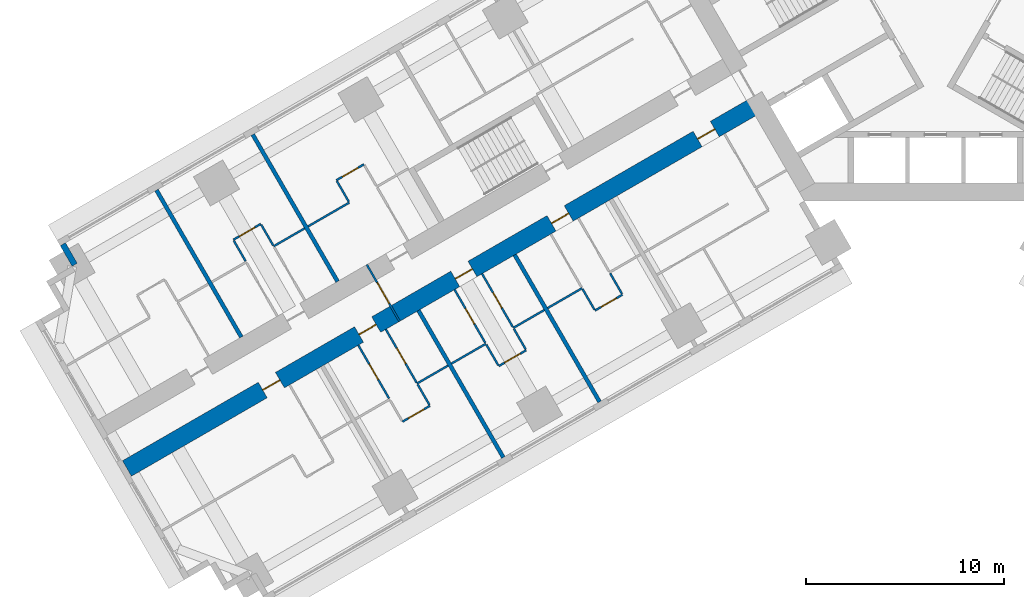
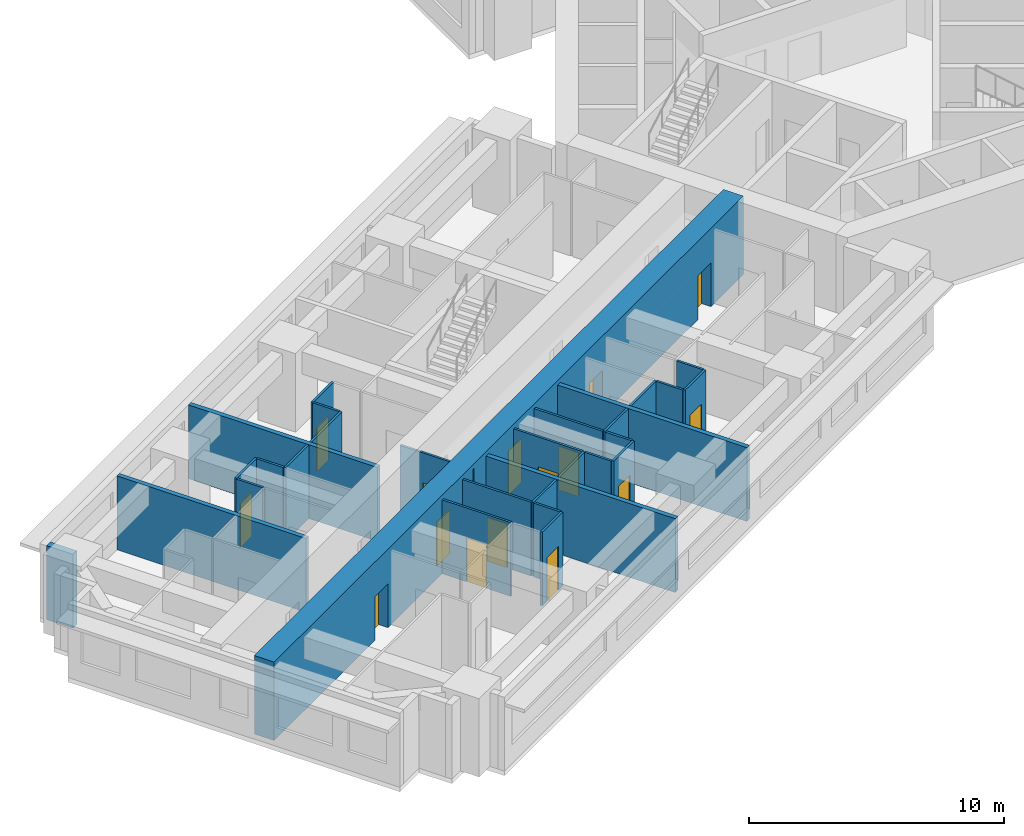
# One storey, part 4 of 16: 30 walls, 15 doors, 15 openings.
"""IFC4 building model written with IfcOpenShell, lengths in metres."""

from ifc_helpers import new_model, si_unit, direction, frame, frame_2d, origin, place, context, subcontext, project, spatial, rectangle, extrude, material, layer, layer_set, type_object, element, fill, save


model = new_model("IFC4")

# Units and contexts
model_context = context("Model", 3, precision=1e-05, world=origin(), true_north=direction((0.0, 1.0)))
body_context = subcontext(model_context, "Body", "Model", "MODEL_VIEW")
ifc_project = project(units=[si_unit("LENGTHUNIT", "METRE"), si_unit("AREAUNIT", "SQUARE_METRE"), si_unit("VOLUMEUNIT", "CUBIC_METRE"), si_unit("PLANEANGLEUNIT", "RADIAN"), si_unit("MASSUNIT", "GRAM", prefix="KILO")], contexts=[model_context])

# Site, building, storey
site_placement = place(None, origin())
site = spatial("IfcSite", under=ifc_project, at=site_placement, CompositionType="ELEMENT")
building_placement = place(site_placement, origin())
building = spatial("IfcBuilding", under=site, at=building_placement, Name="Impinga Residences", CompositionType="ELEMENT")
storey_placement = place(building_placement, frame((0.0, 0.0, 41.0)))
storey = spatial("IfcBuildingStorey", under=building, at=storey_placement, Name="L09", CompositionType="ELEMENT", Elevation=41.0)

# Wall, openings, doors
ifc_material_1 = material(Name="Concrete C70/85", Category="concrete")
ifc_layer_1 = layer(ifc_material_1, 0.89990234375)
ifc_layer_set_1 = layer_set([ifc_layer_1], Name="Concrete C70/85")
wall_type_1 = type_object("IfcWallType", Name="BW1 corridor buttress wall, L05 to L22 900", PredefinedType="SHEAR", material=ifc_layer_set_1)
wall_1_placement = place(storey_placement, frame((-8.910400390625, -6.530029296875, 0.0), z_axis=(0.0, 0.0, 1.0), x_axis=(-0.866025284237, -0.500000207062, 0.0)))
wall_1 = element("IfcWall", 1, at=wall_1_placement, inside=storey, type_object=wall_type_1, Name="Corridor wall BW1 WC L09", PredefinedType="SHEAR", context=body_context, shape_type="SweptSolid", body=[
    extrude(rectangle(XDim=36.75, YDim=0.89990234375, at=frame_2d((18.375, 0.0))), origin(), (0.0, 0.0, 1.0), 3.75),
])
opening_1_placement = place(wall_1_placement, frame((2.550048828125, 0.0, 0.0)))
opening_1 = element("IfcOpeningElement", 2, at=opening_1_placement, cuts=wall_1, Name="Opening D1", PredefinedType="OPENING", context=body_context, shape_type="SweptSolid", body=[
    extrude(rectangle(XDim=1.0, YDim=2.10009765625, at=frame_2d((0.5, 1.050048828125))), frame((0.0, 0.4599609375, 0.0), z_axis=(0.0, -1.0, 0.0), x_axis=(1.0, 0.0, 0.0)), (0.0, 0.0, 1.0), 0.919921875),
])
opening_2_placement = place(wall_1_placement, frame((11.050048828125, 0.0, 0.0)))
opening_2 = element("IfcOpeningElement", 3, at=opening_2_placement, cuts=wall_1, Name="Opening D1", PredefinedType="OPENING", context=body_context, shape_type="SweptSolid", body=[
    extrude(rectangle(XDim=1.0, YDim=2.10009765625, at=frame_2d((0.5, 1.050048828125))), frame((0.0, 0.4599609375, 0.0), z_axis=(0.0, -1.0, 0.0), x_axis=(1.0, 0.0, 0.0)), (0.0, 0.0, 1.0), 0.919921875),
])
opening_3_placement = place(wall_1_placement, frame((16.64990234375, 0.0, 0.0)))
opening_3 = element("IfcOpeningElement", 4, at=opening_3_placement, cuts=wall_1, Name="Opening D1", PredefinedType="OPENING", context=body_context, shape_type="SweptSolid", body=[
    extrude(rectangle(XDim=1.0, YDim=2.10009765625, at=frame_2d((0.5, 1.050048828125))), frame((0.0, 0.4599609375, 0.0), z_axis=(0.0, -1.0, 0.0), x_axis=(1.0, 0.0, 0.0)), (0.0, 0.0, 1.0), 0.919921875),
])
opening_4_placement = place(wall_1_placement, frame((22.25, 0.0, 0.0)))
opening_4 = element("IfcOpeningElement", 5, at=opening_4_placement, cuts=wall_1, Name="Opening D1", PredefinedType="OPENING", context=body_context, shape_type="SweptSolid", body=[
    extrude(rectangle(XDim=1.0, YDim=2.10009765625, at=frame_2d((0.5, 1.050048828125))), frame((0.0, 0.4599609375, 0.0), z_axis=(0.0, -1.0, 0.0), x_axis=(1.0, 0.0, 0.0)), (0.0, 0.0, 1.0), 0.919921875),
])
opening_5_placement = place(wall_1_placement, frame((27.85009765625, 0.0, 0.0)))
opening_5 = element("IfcOpeningElement", 6, at=opening_5_placement, cuts=wall_1, Name="Opening D1", PredefinedType="OPENING", context=body_context, shape_type="SweptSolid", body=[
    extrude(rectangle(XDim=1.0, YDim=2.10009765625, at=frame_2d((0.5, 1.050048828125))), frame((0.0, 0.4599609375, 0.0), z_axis=(0.0, -1.0, 0.0), x_axis=(1.0, 0.0, 0.0)), (0.0, 0.0, 1.0), 0.919921875),
])
ifc_material_2 = material(Name="Timber door set", Category="wood")
door_type_1 = type_object("IfcDoorType", Name="D1 apartment entrance door 1000x2100", OperationType="SINGLE_SWING_LEFT", PredefinedType="DOOR", material=ifc_material_2)
door_1_placement = place(opening_1_placement, origin())
door_1 = element("IfcDoor", 7, at=door_1_placement, inside=storey, type_object=door_type_1, Name="Apartment L09-WA1 entrance", OperationType="SINGLE_SWING_LEFT", OverallHeight=2.10009765625, OverallWidth=1.0, PredefinedType="DOOR", context=body_context, shape_type="SweptSolid", body=[
    extrude(rectangle(XDim=1.0, YDim=2.10009765625, at=frame_2d((0.5, 1.050048828125))), frame((0.0, 0.02490234375, 0.0), z_axis=(0.0, -1.0, 0.0), x_axis=(1.0, 0.0, 0.0)), (0.0, 0.0, 1.0), 0.050048828125),
])
fill(opening_1, door_1)
door_2_placement = place(opening_2_placement, origin())
door_2 = element("IfcDoor", 8, at=door_2_placement, inside=storey, type_object=door_type_1, Name="Apartment L09-WA2 entrance", OperationType="SINGLE_SWING_LEFT", OverallHeight=2.10009765625, OverallWidth=1.0, PredefinedType="DOOR", context=body_context, shape_type="SweptSolid", body=[
    extrude(rectangle(XDim=1.0, YDim=2.10009765625, at=frame_2d((0.5, 1.050048828125))), frame((0.0, 0.02490234375, 0.0), z_axis=(0.0, -1.0, 0.0), x_axis=(1.0, 0.0, 0.0)), (0.0, 0.0, 1.0), 0.050048828125),
])
fill(opening_2, door_2)
door_3_placement = place(opening_3_placement, origin())
door_3 = element("IfcDoor", 9, at=door_3_placement, inside=storey, type_object=door_type_1, Name="Apartment L09-WA3 entrance", OperationType="SINGLE_SWING_LEFT", OverallHeight=2.10009765625, OverallWidth=1.0, PredefinedType="DOOR", context=body_context, shape_type="SweptSolid", body=[
    extrude(rectangle(XDim=1.0, YDim=2.10009765625, at=frame_2d((0.5, 1.050048828125))), frame((0.0, 0.02490234375, 0.0), z_axis=(0.0, -1.0, 0.0), x_axis=(1.0, 0.0, 0.0)), (0.0, 0.0, 1.0), 0.050048828125),
])
fill(opening_3, door_3)
door_4_placement = place(opening_4_placement, origin())
door_4 = element("IfcDoor", 10, at=door_4_placement, inside=storey, type_object=door_type_1, Name="Apartment L09-WA4 entrance", OperationType="SINGLE_SWING_RIGHT", OverallHeight=2.10009765625, OverallWidth=1.0, PredefinedType="DOOR", context=body_context, shape_type="SweptSolid", body=[
    extrude(rectangle(XDim=1.0, YDim=2.10009765625, at=frame_2d((0.5, 1.050048828125))), frame((0.0, 0.02490234375, 0.0), z_axis=(0.0, -1.0, 0.0), x_axis=(1.0, 0.0, 0.0)), (0.0, 0.0, 1.0), 0.050048828125),
])
fill(opening_4, door_4)
door_5_placement = place(opening_5_placement, origin())
door_5 = element("IfcDoor", 11, at=door_5_placement, inside=storey, type_object=door_type_1, Name="Apartment L09-WA5 entrance", OperationType="SINGLE_SWING_RIGHT", OverallHeight=2.10009765625, OverallWidth=1.0, PredefinedType="DOOR", context=body_context, shape_type="SweptSolid", body=[
    extrude(rectangle(XDim=1.0, YDim=2.10009765625, at=frame_2d((0.5, 1.050048828125))), frame((0.0, 0.02490234375, 0.0), z_axis=(0.0, -1.0, 0.0), x_axis=(1.0, 0.0, 0.0)), (0.0, 0.0, 1.0), 0.050048828125),
])
fill(opening_5, door_5)

# Wall, opening, door
ifc_material_3 = material(Name="Concrete blockwork", Category="masonry")
ifc_layer_2 = layer(ifc_material_3, 0.10009765625)
ifc_layer_set_2 = layer_set([ifc_layer_2], Name="CP1 core room partition, blockwork 100")
wall_type_2 = type_object("IfcWallType", Name="CP1 core room partition, blockwork 100", PredefinedType="PARTITIONING", material=ifc_layer_set_2)
wall_2_placement = place(storey_placement, frame((-27.002197265625, -17.494873046875, 0.0), z_axis=(0.0, 0.0, 1.0), x_axis=(-0.499974350878, 0.866040211805, 0.0)))
wall_2 = element("IfcWall", 12, at=wall_2_placement, inside=storey, type_object=wall_type_2, Name="Core room partition, blockwork L09:W:SCR", PredefinedType="PARTITIONING", context=body_context, shape_type="SweptSolid", body=[
    extrude(rectangle(XDim=3.300048828125, YDim=0.10009765625, at=frame_2d((1.64990234375, 0.0))), origin(), (0.0, 0.0, 1.0), 3.530029296875),
])
opening_6_placement = place(wall_2_placement, frame((1.050048828125, 0.0, 0.0)))
opening_6 = element("IfcOpeningElement", 13, at=opening_6_placement, cuts=wall_2, Name="Opening D3", PredefinedType="OPENING", context=body_context, shape_type="SweptSolid", body=[
    extrude(rectangle(XDim=1.199951171875, YDim=2.10009765625, at=frame_2d((0.60009765625, 1.050048828125))), frame((0.0, 0.06005859375, 0.0), z_axis=(0.0, -1.0, 0.0), x_axis=(1.0, 0.0, 0.0)), (0.0, 0.0, 1.0), 0.1201171875),
])
door_type_2 = type_object("IfcDoorType", Name="D3 room door, leaf and a half 1200x2100", OperationType="DOUBLE_SWING_LEFT", PredefinedType="DOOR", material=ifc_material_2)
door_6_placement = place(opening_6_placement, origin())
door_6 = element("IfcDoor", 14, at=door_6_placement, inside=storey, type_object=door_type_2, Name="Corridor smoke door W", OperationType="DOUBLE_SWING_LEFT", OverallHeight=2.10009765625, OverallWidth=1.199951171875, PredefinedType="DOOR", context=body_context, shape_type="SweptSolid", body=[
    extrude(rectangle(XDim=1.199951171875, YDim=2.10009765625, at=frame_2d((0.60009765625, 1.050048828125))), frame((0.0, 0.02490234375, 0.0), z_axis=(0.0, -1.0, 0.0), x_axis=(1.0, 0.0, 0.0)), (0.0, 0.0, 1.0), 0.050048828125),
])
fill(opening_6, door_6)

# Walls
ifc_material_4 = material(Name="Terracotta rainscreen on blockwork", Category="masonry")
ifc_layer_3 = layer(ifc_material_4, 0.300048828125)
ifc_layer_set_3 = layer_set([ifc_layer_3], Name="EW1 external wall, terracotta rainscreen on blockwork 300")
wall_type_3 = type_object("IfcWallType", Name="EW1 external wall, terracotta rainscreen on blockwork 300", PredefinedType="SOLIDWALL", material=ifc_layer_set_3)
wall_3_placement = place(storey_placement, frame((-43.37109375, -14.64208984375, 0.0), z_axis=(0.0, 0.0, 1.0), x_axis=(-0.500029051137, 0.866008630453, 0.0)))
element("IfcWall", 15, at=wall_3_placement, inside=storey, type_object=wall_type_3, Name="External wall EW1 L09", PredefinedType="SOLIDWALL", context=body_context, shape_type="SweptSolid", body=[
    extrude(rectangle(XDim=1.19482421875, YDim=0.300048828125, at=frame_2d((0.597412109375, 0.0))), origin(), (0.0, 0.0, 1.0), 3.530029296875),
])
ifc_material_5 = material(Name="Gypsum board on steel studs", Category="steel")
ifc_layer_4 = layer(ifc_material_5, 0.10009765625)
ifc_layer_set_4 = layer_set([ifc_layer_4], Name="Gypsum board on steel studs")
wall_type_4 = type_object("IfcWallType", Name="IP1 partition 100", PredefinedType="PARTITIONING", material=ifc_layer_set_4)
wall_4_placement = place(storey_placement, frame((-17.8056640625, -15.82275390625, 0.0), z_axis=(0.0, 0.0, 1.0), x_axis=(-0.866041268327, -0.499972520799, 0.0)))
element("IfcWall", 16, at=wall_4_placement, inside=storey, type_object=wall_type_4, Name="Partition L09-WA2:DIV1", PredefinedType="PARTITIONING", context=body_context, shape_type="SweptSolid", body=[
    extrude(rectangle(XDim=2.0, YDim=0.10009765625, at=frame_2d((1.0, 0.0))), origin(), (0.0, 0.0, 1.0), 3.530029296875),
])

# Wall, opening, door
wall_5_placement = place(storey_placement, frame((-15.77001953125, -16.1484375, 0.0), z_axis=(0.0, 0.0, 1.0), x_axis=(-0.866028054938, -0.499995408039, 0.0)))
wall_5 = element("IfcWall", 17, at=wall_5_placement, inside=storey, type_object=wall_type_4, Name="Partition L09-WA2:STRIP", PredefinedType="PARTITIONING", context=body_context, shape_type="SweptSolid", body=[
    extrude(rectangle(XDim=1.60009765625, YDim=0.10009765625, at=frame_2d((0.800048828125, 0.0))), origin(), (0.0, 0.0, 1.0), 3.530029296875),
])
opening_7_placement = place(wall_5_placement, frame((0.35009765625, 0.0, 0.0)))
opening_7 = element("IfcOpeningElement", 18, at=opening_7_placement, cuts=wall_5, Name="Opening D2", PredefinedType="OPENING", context=body_context, shape_type="SweptSolid", body=[
    extrude(rectangle(XDim=0.89990234375, YDim=2.10009765625, at=frame_2d((0.449951171875, 1.050048828125))), frame((0.0, 0.06005859375, 0.0), z_axis=(0.0, -1.0, 0.0), x_axis=(1.0, 0.0, 0.0)), (0.0, 0.0, 1.0), 0.1201171875),
])
door_type_3 = type_object("IfcDoorType", Name="D2 internal door 900x2100", OperationType="SINGLE_SWING_LEFT", PredefinedType="DOOR", material=ifc_material_2)
door_7_placement = place(opening_7_placement, origin())
door_7 = element("IfcDoor", 19, at=door_7_placement, inside=storey, type_object=door_type_3, Name="Apartment L09-WA2 room door", OperationType="SINGLE_SWING_LEFT", OverallHeight=2.10009765625, OverallWidth=0.89990234375, PredefinedType="DOOR", context=body_context, shape_type="SweptSolid", body=[
    extrude(rectangle(XDim=0.89990234375, YDim=2.10009765625, at=frame_2d((0.449951171875, 1.050048828125))), frame((0.0, 0.02490234375, 0.0), z_axis=(0.0, -1.0, 0.0), x_axis=(1.0, 0.0, 0.0)), (0.0, 0.0, 1.0), 0.050048828125),
])
fill(opening_7, door_7)

# Walls
wall_6_placement = place(storey_placement, frame((-16.39501953125, -15.06591796875, 0.0), z_axis=(0.0, 0.0, 1.0), x_axis=(0.499880961361, -0.866094119867, 0.0)))
element("IfcWall", 20, at=wall_6_placement, inside=storey, type_object=wall_type_4, Name="Partition L09-WA2:SE0", PredefinedType="PARTITIONING", context=body_context, shape_type="SweptSolid", body=[
    extrude(rectangle(XDim=1.199951171875, YDim=0.10009765625, at=frame_2d((0.60009765625, 0.0))), origin(), (0.0, 0.0, 1.0), 3.530029296875),
])
wall_7_placement = place(storey_placement, frame((-17.78076171875, -15.865966796875, 0.0), z_axis=(0.0, 0.0, 1.0), x_axis=(0.500033551112, -0.866006032174, 0.0)))
element("IfcWall", 21, at=wall_7_placement, inside=storey, type_object=wall_type_4, Name="Partition L09-WA2:SE1", PredefinedType="PARTITIONING", context=body_context, shape_type="SweptSolid", body=[
    extrude(rectangle(XDim=1.2001953125, YDim=0.10009765625, at=frame_2d((0.60009765625, 0.0))), origin(), (0.0, 0.0, 1.0), 3.530029296875),
])
wall_8_placement = place(storey_placement, frame((-19.7109375, -16.922607421875, 0.0), z_axis=(0.0, 0.0, 1.0), x_axis=(-0.865989075817, -0.500062916607, 0.0)))
element("IfcWall", 22, at=wall_8_placement, inside=storey, type_object=wall_type_4, Name="Partition L09-WA3:DIV0", PredefinedType="PARTITIONING", context=body_context, shape_type="SweptSolid", body=[
    extrude(rectangle(XDim=1.800048828125, YDim=0.10009765625, at=frame_2d((0.89990234375, 0.0))), origin(), (0.0, 0.0, 1.0), 3.530029296875),
])
wall_9_placement = place(storey_placement, frame((-22.655517578125, -18.622802734375, 0.0), z_axis=(0.0, 0.0, 1.0), x_axis=(-0.866010750942, -0.50002537861, 0.0)))
element("IfcWall", 23, at=wall_9_placement, inside=storey, type_object=wall_type_4, Name="Partition L09-WA3:DIV1", PredefinedType="PARTITIONING", context=body_context, shape_type="SweptSolid", body=[
    extrude(rectangle(XDim=2.0, YDim=0.10009765625, at=frame_2d((1.0, 0.0))), origin(), (0.0, 0.0, 1.0), 3.530029296875),
])

# Wall, opening, door
wall_10_placement = place(storey_placement, frame((-20.619873046875, -18.948486328125, 0.0), z_axis=(0.0, 0.0, 1.0), x_axis=(-0.865989903783, -0.500061482766, 0.0)))
wall_10 = element("IfcWall", 24, at=wall_10_placement, inside=storey, type_object=wall_type_4, Name="Partition L09-WA3:STRIP", PredefinedType="PARTITIONING", context=body_context, shape_type="SweptSolid", body=[
    extrude(rectangle(XDim=1.599853515625, YDim=0.10009765625, at=frame_2d((0.7998046875, 0.0))), origin(), (0.0, 0.0, 1.0), 3.530029296875),
])
opening_8_placement = place(wall_10_placement, frame((0.35009765625, 0.0, 0.0)))
opening_8 = element("IfcOpeningElement", 25, at=opening_8_placement, cuts=wall_10, Name="Opening D2", PredefinedType="OPENING", context=body_context, shape_type="SweptSolid", body=[
    extrude(rectangle(XDim=0.89990234375, YDim=2.10009765625, at=frame_2d((0.449951171875, 1.050048828125))), frame((0.0, 0.06005859375, 0.0), z_axis=(0.0, -1.0, 0.0), x_axis=(1.0, 0.0, 0.0)), (0.0, 0.0, 1.0), 0.1201171875),
])
door_8_placement = place(opening_8_placement, origin())
door_8 = element("IfcDoor", 26, at=door_8_placement, inside=storey, type_object=door_type_3, Name="Apartment L09-WA3 room door", OperationType="SINGLE_SWING_LEFT", OverallHeight=2.10009765625, OverallWidth=0.89990234375, PredefinedType="DOOR", context=body_context, shape_type="SweptSolid", body=[
    extrude(rectangle(XDim=0.89990234375, YDim=2.10009765625, at=frame_2d((0.449951171875, 1.050048828125))), frame((0.0, 0.02490234375, 0.0), z_axis=(0.0, -1.0, 0.0), x_axis=(1.0, 0.0, 0.0)), (0.0, 0.0, 1.0), 0.050048828125),
])
fill(opening_8, door_8)

# Walls
wall_11_placement = place(storey_placement, frame((-21.244873046875, -17.865966796875, 0.0), z_axis=(0.0, 0.0, 1.0), x_axis=(0.500033551112, -0.866006032174, 0.0)))
element("IfcWall", 27, at=wall_11_placement, inside=storey, type_object=wall_type_4, Name="Partition L09-WA3:SE0", PredefinedType="PARTITIONING", context=body_context, shape_type="SweptSolid", body=[
    extrude(rectangle(XDim=1.2001953125, YDim=0.10009765625, at=frame_2d((0.60009765625, 0.0))), origin(), (0.0, 0.0, 1.0), 3.530029296875),
])
wall_12_placement = place(storey_placement, frame((-22.63037109375, -18.666015625, 0.0), z_axis=(0.0, 0.0, 1.0), x_axis=(0.499880961361, -0.866094119867, 0.0)))
element("IfcWall", 28, at=wall_12_placement, inside=storey, type_object=wall_type_4, Name="Partition L09-WA3:SE1", PredefinedType="PARTITIONING", context=body_context, shape_type="SweptSolid", body=[
    extrude(rectangle(XDim=1.199951171875, YDim=0.10009765625, at=frame_2d((0.60009765625, 0.0))), origin(), (0.0, 0.0, 1.0), 3.530029296875),
])

# Wall, opening, door
wall_13_placement = place(storey_placement, frame((-22.8447265625, -15.0947265625, 0.0), z_axis=(0.0, 0.0, 1.0), x_axis=(0.499967891604, -0.866043940782, 0.0)))
wall_13 = element("IfcWall", 29, at=wall_13_placement, inside=storey, type_object=wall_type_4, Name="Partition L09-WA3:IB1", PredefinedType="PARTITIONING", context=body_context, shape_type="SweptSolid", body=[
    extrude(rectangle(XDim=3.099853515625, YDim=0.10009765625, at=frame_2d((1.5498046875, 0.0))), origin(), (0.0, 0.0, 1.0), 3.530029296875),
])
opening_9_placement = place(wall_13_placement, frame((1.10009765625, 0.0, 0.0)))
opening_9 = element("IfcOpeningElement", 30, at=opening_9_placement, cuts=wall_13, Name="Opening D2", PredefinedType="OPENING", context=body_context, shape_type="SweptSolid", body=[
    extrude(rectangle(XDim=0.89990234375, YDim=2.10009765625, at=frame_2d((0.449951171875, 1.050048828125))), frame((0.0, 0.06005859375, 0.0), z_axis=(0.0, -1.0, 0.0), x_axis=(1.0, 0.0, 0.0)), (0.0, 0.0, 1.0), 0.1201171875),
])
door_9_placement = place(opening_9_placement, origin())
door_9 = element("IfcDoor", 31, at=door_9_placement, inside=storey, type_object=door_type_3, Name="Apartment L09-WA3 bathroom door", OperationType="SINGLE_SWING_LEFT", OverallHeight=2.10009765625, OverallWidth=0.89990234375, PredefinedType="DOOR", context=body_context, shape_type="SweptSolid", body=[
    extrude(rectangle(XDim=0.89990234375, YDim=2.10009765625, at=frame_2d((0.449951171875, 1.050048828125))), frame((0.0, 0.02490234375, 0.0), z_axis=(0.0, -1.0, 0.0), x_axis=(1.0, 0.0, 0.0)), (0.0, 0.0, 1.0), 0.050048828125),
])
fill(opening_9, door_9)

wall_14_placement = place(storey_placement, frame((-24.23046875, -15.894775390625, 0.0), z_axis=(0.0, 0.0, 1.0), x_axis=(0.500026960575, -0.86600983753, 0.0)))
wall_14 = element("IfcWall", 32, at=wall_14_placement, inside=storey, type_object=wall_type_4, Name="Partition L09-WA3:IB2", PredefinedType="PARTITIONING", context=body_context, shape_type="SweptSolid", body=[
    extrude(rectangle(XDim=3.099853515625, YDim=0.10009765625, at=frame_2d((1.5498046875, 0.0))), origin(), (0.0, 0.0, 1.0), 3.530029296875),
])
opening_10_placement = place(wall_14_placement, frame((1.10009765625, 0.0, 0.0)))
opening_10 = element("IfcOpeningElement", 33, at=opening_10_placement, cuts=wall_14, Name="Opening D2", PredefinedType="OPENING", context=body_context, shape_type="SweptSolid", body=[
    extrude(rectangle(XDim=0.89990234375, YDim=2.10009765625, at=frame_2d((0.449951171875, 1.050048828125))), frame((0.0, 0.06005859375, 0.0), z_axis=(0.0, -1.0, 0.0), x_axis=(1.0, 0.0, 0.0)), (0.0, 0.0, 1.0), 0.1201171875),
])
door_10_placement = place(opening_10_placement, origin())
door_10 = element("IfcDoor", 34, at=door_10_placement, inside=storey, type_object=door_type_3, Name="Apartment L09-WA3 WC door", OperationType="SINGLE_SWING_LEFT", OverallHeight=2.10009765625, OverallWidth=0.89990234375, PredefinedType="DOOR", context=body_context, shape_type="SweptSolid", body=[
    extrude(rectangle(XDim=0.89990234375, YDim=2.10009765625, at=frame_2d((0.449951171875, 1.050048828125))), frame((0.0, 0.02490234375, 0.0), z_axis=(0.0, -1.0, 0.0), x_axis=(1.0, 0.0, 0.0)), (0.0, 0.0, 1.0), 0.050048828125),
])
fill(opening_10, door_10)

# Wall
wall_15_placement = place(storey_placement, frame((-24.560791015625, -19.72265625, 0.0), z_axis=(0.0, 0.0, 1.0), x_axis=(-0.865989075817, -0.500062916607, 0.0)))
element("IfcWall", 35, at=wall_15_placement, inside=storey, type_object=wall_type_4, Name="Partition L09-WA4:DIV0", PredefinedType="PARTITIONING", context=body_context, shape_type="SweptSolid", body=[
    extrude(rectangle(XDim=1.800048828125, YDim=0.10009765625, at=frame_2d((0.89990234375, 0.0))), origin(), (0.0, 0.0, 1.0), 3.530029296875),
])

# Wall, opening, door
wall_16_placement = place(storey_placement, frame((-25.469482421875, -21.74853515625, 0.0), z_axis=(0.0, 0.0, 1.0), x_axis=(-0.866028054938, -0.499995408039, 0.0)))
wall_16 = element("IfcWall", 36, at=wall_16_placement, inside=storey, type_object=wall_type_4, Name="Partition L09-WA4:STRIP", PredefinedType="PARTITIONING", context=body_context, shape_type="SweptSolid", body=[
    extrude(rectangle(XDim=1.60009765625, YDim=0.10009765625, at=frame_2d((0.800048828125, 0.0))), origin(), (0.0, 0.0, 1.0), 3.530029296875),
])
opening_11_placement = place(wall_16_placement, frame((0.35009765625, 0.0, 0.0)))
opening_11 = element("IfcOpeningElement", 37, at=opening_11_placement, cuts=wall_16, Name="Opening D2", PredefinedType="OPENING", context=body_context, shape_type="SweptSolid", body=[
    extrude(rectangle(XDim=0.89990234375, YDim=2.10009765625, at=frame_2d((0.449951171875, 1.050048828125))), frame((0.0, 0.06005859375, 0.0), z_axis=(0.0, -1.0, 0.0), x_axis=(1.0, 0.0, 0.0)), (0.0, 0.0, 1.0), 0.1201171875),
])
door_11_placement = place(opening_11_placement, origin())
door_11 = element("IfcDoor", 38, at=door_11_placement, inside=storey, type_object=door_type_3, Name="Apartment L09-WA4 room door", OperationType="SINGLE_SWING_LEFT", OverallHeight=2.10009765625, OverallWidth=0.89990234375, PredefinedType="DOOR", context=body_context, shape_type="SweptSolid", body=[
    extrude(rectangle(XDim=0.89990234375, YDim=2.10009765625, at=frame_2d((0.449951171875, 1.050048828125))), frame((0.0, 0.02490234375, 0.0), z_axis=(0.0, -1.0, 0.0), x_axis=(1.0, 0.0, 0.0)), (0.0, 0.0, 1.0), 0.050048828125),
])
fill(opening_11, door_11)

# Wall
wall_17_placement = place(storey_placement, frame((-26.094482421875, -20.666015625, 0.0), z_axis=(0.0, 0.0, 1.0), x_axis=(0.499880961361, -0.866094119867, 0.0)))
element("IfcWall", 39, at=wall_17_placement, inside=storey, type_object=wall_type_4, Name="Partition L09-WA4:SE0", PredefinedType="PARTITIONING", context=body_context, shape_type="SweptSolid", body=[
    extrude(rectangle(XDim=1.199951171875, YDim=0.10009765625, at=frame_2d((0.60009765625, 0.0))), origin(), (0.0, 0.0, 1.0), 3.530029296875),
])

# Wall, opening, door
wall_18_placement = place(storey_placement, frame((-27.694580078125, -17.894775390625, 0.0), z_axis=(0.0, 0.0, 1.0), x_axis=(0.500026960575, -0.86600983753, 0.0)))
wall_18 = element("IfcWall", 40, at=wall_18_placement, inside=storey, type_object=wall_type_4, Name="Partition L09-WA4:IB1", PredefinedType="PARTITIONING", context=body_context, shape_type="SweptSolid", body=[
    extrude(rectangle(XDim=3.099853515625, YDim=0.10009765625, at=frame_2d((1.5498046875, 0.0))), origin(), (0.0, 0.0, 1.0), 3.530029296875),
])
opening_12_placement = place(wall_18_placement, frame((1.10009765625, 0.0, 0.0)))
opening_12 = element("IfcOpeningElement", 41, at=opening_12_placement, cuts=wall_18, Name="Opening D2", PredefinedType="OPENING", context=body_context, shape_type="SweptSolid", body=[
    extrude(rectangle(XDim=0.89990234375, YDim=2.10009765625, at=frame_2d((0.449951171875, 1.050048828125))), frame((0.0, 0.06005859375, 0.0), z_axis=(0.0, -1.0, 0.0), x_axis=(1.0, 0.0, 0.0)), (0.0, 0.0, 1.0), 0.1201171875),
])
door_12_placement = place(opening_12_placement, origin())
door_12 = element("IfcDoor", 42, at=door_12_placement, inside=storey, type_object=door_type_3, Name="Apartment L09-WA4 bathroom door", OperationType="SINGLE_SWING_LEFT", OverallHeight=2.10009765625, OverallWidth=0.89990234375, PredefinedType="DOOR", context=body_context, shape_type="SweptSolid", body=[
    extrude(rectangle(XDim=0.89990234375, YDim=2.10009765625, at=frame_2d((0.449951171875, 1.050048828125))), frame((0.0, 0.02490234375, 0.0), z_axis=(0.0, -1.0, 0.0), x_axis=(1.0, 0.0, 0.0)), (0.0, 0.0, 1.0), 0.050048828125),
])
fill(opening_12, door_12)

wall_19_placement = place(storey_placement, frame((-29.080078125, -18.69482421875, 0.0), z_axis=(0.0, 0.0, 1.0), x_axis=(0.499967891604, -0.866043940782, 0.0)))
wall_19 = element("IfcWall", 43, at=wall_19_placement, inside=storey, type_object=wall_type_4, Name="Partition L09-WA4:IB2", PredefinedType="PARTITIONING", context=body_context, shape_type="SweptSolid", body=[
    extrude(rectangle(XDim=3.099853515625, YDim=0.10009765625, at=frame_2d((1.5498046875, 0.0))), origin(), (0.0, 0.0, 1.0), 3.530029296875),
])
opening_13_placement = place(wall_19_placement, frame((1.10009765625, 0.0, 0.0)))
opening_13 = element("IfcOpeningElement", 44, at=opening_13_placement, cuts=wall_19, Name="Opening D2", PredefinedType="OPENING", context=body_context, shape_type="SweptSolid", body=[
    extrude(rectangle(XDim=0.89990234375, YDim=2.10009765625, at=frame_2d((0.449951171875, 1.050048828125))), frame((0.0, 0.06005859375, 0.0), z_axis=(0.0, -1.0, 0.0), x_axis=(1.0, 0.0, 0.0)), (0.0, 0.0, 1.0), 0.1201171875),
])
door_13_placement = place(opening_13_placement, origin())
door_13 = element("IfcDoor", 45, at=door_13_placement, inside=storey, type_object=door_type_3, Name="Apartment L09-WA4 WC door", OperationType="SINGLE_SWING_LEFT", OverallHeight=2.10009765625, OverallWidth=0.89990234375, PredefinedType="DOOR", context=body_context, shape_type="SweptSolid", body=[
    extrude(rectangle(XDim=0.89990234375, YDim=2.10009765625, at=frame_2d((0.449951171875, 1.050048828125))), frame((0.0, 0.02490234375, 0.0), z_axis=(0.0, -1.0, 0.0), x_axis=(1.0, 0.0, 0.0)), (0.0, 0.0, 1.0), 0.050048828125),
])
fill(opening_13, door_13)

# Wall
wall_20_placement = place(storey_placement, frame((-29.533935546875, -11.5087890625, 0.0), z_axis=(0.0, 0.0, 1.0), x_axis=(-0.866024647952, -0.500001309137, 0.0)))
element("IfcWall", 46, at=wall_20_placement, inside=storey, type_object=wall_type_4, Name="Partition L09-WF2:DIV1", PredefinedType="PARTITIONING", context=body_context, shape_type="SweptSolid", body=[
    extrude(rectangle(XDim=2.39990234375, YDim=0.10009765625, at=frame_2d((1.199951171875, 0.0))), origin(), (0.0, 0.0, 1.0), 3.530029296875),
])

# Wall, opening, door
wall_21_placement = place(storey_placement, frame((-28.79833984375, -9.5830078125, 0.0), z_axis=(0.0, 0.0, 1.0), x_axis=(-0.865989903783, -0.500061482766, 0.0)))
wall_21 = element("IfcWall", 47, at=wall_21_placement, inside=storey, type_object=wall_type_4, Name="Partition L09-WF2:STRIP", PredefinedType="PARTITIONING", context=body_context, shape_type="SweptSolid", body=[
    extrude(rectangle(XDim=1.599853515625, YDim=0.10009765625, at=frame_2d((0.7998046875, 0.0))), origin(), (0.0, 0.0, 1.0), 3.530029296875),
])
opening_14_placement = place(wall_21_placement, frame((0.35009765625, 0.0, 0.0)))
opening_14 = element("IfcOpeningElement", 48, at=opening_14_placement, cuts=wall_21, Name="Opening D2", PredefinedType="OPENING", context=body_context, shape_type="SweptSolid", body=[
    extrude(rectangle(XDim=0.89990234375, YDim=2.10009765625, at=frame_2d((0.449951171875, 1.050048828125))), frame((0.0, 0.06005859375, 0.0), z_axis=(0.0, -1.0, 0.0), x_axis=(1.0, 0.0, 0.0)), (0.0, 0.0, 1.0), 0.1201171875),
])
door_14_placement = place(opening_14_placement, origin())
door_14 = element("IfcDoor", 49, at=door_14_placement, inside=storey, type_object=door_type_3, Name="Apartment L09-WF2 room door", OperationType="SINGLE_SWING_LEFT", OverallHeight=2.10009765625, OverallWidth=0.89990234375, PredefinedType="DOOR", context=body_context, shape_type="SweptSolid", body=[
    extrude(rectangle(XDim=0.89990234375, YDim=2.10009765625, at=frame_2d((0.449951171875, 1.050048828125))), frame((0.0, 0.02490234375, 0.0), z_axis=(0.0, -1.0, 0.0), x_axis=(1.0, 0.0, 0.0)), (0.0, 0.0, 1.0), 0.050048828125),
])
fill(opening_14, door_14)

# Walls
wall_22_placement = place(storey_placement, frame((-29.558837890625, -11.465576171875, 0.0), z_axis=(0.0, 0.0, 1.0), x_axis=(-0.500033551112, 0.866006032174, 0.0)))
element("IfcWall", 50, at=wall_22_placement, inside=storey, type_object=wall_type_4, Name="Partition L09-WF2:SE1", PredefinedType="PARTITIONING", context=body_context, shape_type="SweptSolid", body=[
    extrude(rectangle(XDim=1.2001953125, YDim=0.10009765625, at=frame_2d((0.60009765625, 0.0))), origin(), (0.0, 0.0, 1.0), 3.530029296875),
])
wall_23_placement = place(storey_placement, frame((-31.78564453125, -12.808837890625, 0.0), z_axis=(0.0, 0.0, 1.0), x_axis=(-0.866047807691, -0.499961193289, 0.0)))
element("IfcWall", 51, at=wall_23_placement, inside=storey, type_object=wall_type_4, Name="Partition L09-WF3:DIV0", PredefinedType="PARTITIONING", context=body_context, shape_type="SweptSolid", body=[
    extrude(rectangle(XDim=1.800048828125, YDim=0.10009765625, at=frame_2d((0.89990234375, 0.0))), origin(), (0.0, 0.0, 1.0), 3.530029296875),
])

# Wall, opening, door
wall_24_placement = place(storey_placement, frame((-33.994384765625, -12.5830078125, 0.0), z_axis=(0.0, 0.0, 1.0), x_axis=(-0.866028054938, -0.499995408039, 0.0)))
wall_24 = element("IfcWall", 52, at=wall_24_placement, inside=storey, type_object=wall_type_4, Name="Partition L09-WF3:STRIP", PredefinedType="PARTITIONING", context=body_context, shape_type="SweptSolid", body=[
    extrude(rectangle(XDim=1.60009765625, YDim=0.10009765625, at=frame_2d((0.800048828125, 0.0))), origin(), (0.0, 0.0, 1.0), 3.530029296875),
])
opening_15_placement = place(wall_24_placement, frame((0.35009765625, 0.0, 0.0)))
opening_15 = element("IfcOpeningElement", 53, at=opening_15_placement, cuts=wall_24, Name="Opening D2", PredefinedType="OPENING", context=body_context, shape_type="SweptSolid", body=[
    extrude(rectangle(XDim=0.89990234375, YDim=2.10009765625, at=frame_2d((0.449951171875, 1.050048828125))), frame((0.0, 0.06005859375, 0.0), z_axis=(0.0, -1.0, 0.0), x_axis=(1.0, 0.0, 0.0)), (0.0, 0.0, 1.0), 0.1201171875),
])
door_15_placement = place(opening_15_placement, origin())
door_15 = element("IfcDoor", 54, at=door_15_placement, inside=storey, type_object=door_type_3, Name="Apartment L09-WF3 room door", OperationType="SINGLE_SWING_LEFT", OverallHeight=2.10009765625, OverallWidth=0.89990234375, PredefinedType="DOOR", context=body_context, shape_type="SweptSolid", body=[
    extrude(rectangle(XDim=0.89990234375, YDim=2.10009765625, at=frame_2d((0.449951171875, 1.050048828125))), frame((0.0, 0.02490234375, 0.0), z_axis=(0.0, -1.0, 0.0), x_axis=(1.0, 0.0, 0.0)), (0.0, 0.0, 1.0), 0.050048828125),
])
fill(opening_15, door_15)

# Walls
wall_25_placement = place(storey_placement, frame((-33.369384765625, -13.66552734375, 0.0), z_axis=(0.0, 0.0, 1.0), x_axis=(-0.500033551112, 0.866006032174, 0.0)))
element("IfcWall", 55, at=wall_25_placement, inside=storey, type_object=wall_type_4, Name="Partition L09-WF3:SE0", PredefinedType="PARTITIONING", context=body_context, shape_type="SweptSolid", body=[
    extrude(rectangle(XDim=1.2001953125, YDim=0.10009765625, at=frame_2d((0.60009765625, 0.0))), origin(), (0.0, 0.0, 1.0), 3.530029296875),
])
wall_26_placement = place(storey_placement, frame((-34.755126953125, -14.465576171875, 0.0), z_axis=(0.0, 0.0, 1.0), x_axis=(-0.499880961361, 0.866094119867, 0.0)))
element("IfcWall", 56, at=wall_26_placement, inside=storey, type_object=wall_type_4, Name="Partition L09-WF3:SE1", PredefinedType="PARTITIONING", context=body_context, shape_type="SweptSolid", body=[
    extrude(rectangle(XDim=1.199951171875, YDim=0.10009765625, at=frame_2d((0.60009765625, 0.0))), origin(), (0.0, 0.0, 1.0), 3.530029296875),
])
ifc_layer_5 = layer(ifc_material_3, 0.199951171875)
ifc_layer_set_5 = layer_set([ifc_layer_5], Name="PW1 party wall between apartments 200")
wall_type_5 = type_object("IfcWallType", Name="PW1 party wall between apartments 200", PredefinedType="SOLIDWALL", material=ifc_layer_set_5)
wall_27_placement = place(storey_placement, frame((-21.199462890625, -14.144775390625, 0.0), z_axis=(0.0, 0.0, 1.0), x_axis=(0.500011643316, -0.866018681408, 0.0)))
element("IfcWall", 57, at=wall_27_placement, inside=storey, type_object=wall_type_5, Name="Party wall between apartments L09-WA2:PARTY", PredefinedType="SOLIDWALL", context=body_context, shape_type="SweptSolid", body=[
    extrude(rectangle(XDim=8.550048828125, YDim=0.199951171875, at=frame_2d((4.27490234375, 0.0))), origin(), (0.0, 0.0, 1.0), 3.530029296875),
])
wall_28_placement = place(storey_placement, frame((-26.049072265625, -16.94482421875, 0.0), z_axis=(0.0, 0.0, 1.0), x_axis=(0.500002592159, -0.866023907196, 0.0)))
element("IfcWall", 58, at=wall_28_placement, inside=storey, type_object=wall_type_5, Name="Party wall between apartments L09-WA3:PARTY", PredefinedType="SOLIDWALL", context=body_context, shape_type="SweptSolid", body=[
    extrude(rectangle(XDim=8.5498046875, YDim=0.199951171875, at=frame_2d((4.27490234375, 0.0))), origin(), (0.0, 0.0, 1.0), 3.530029296875),
])
for number, where, z_axis, x_axis, name in (
    (59, (-30.1240234375, -15.48681640625, 0.0), (0.0, 0.0, 1.0), (-0.499990227581, 0.86603104582, 0.0), "Party wall between apartments L09-WF2:PARTY"),
    (60, (-34.9736328125, -18.286865234375, 0.0), (0.0, 0.0, 1.0), (-0.500011643316, 0.866018681408, 0.0), "Party wall between apartments L09-WF3:PARTY"),
):
    element("IfcWall", number, at=place(storey_placement, frame(where, z_axis=z_axis, x_axis=x_axis)), inside=storey, type_object=wall_type_5, Name=name, PredefinedType="SOLIDWALL", context=body_context, shape_type="SweptSolid", body=[
        extrude(rectangle(XDim=8.550048828125, YDim=0.199951171875, at=frame_2d((4.27490234375, 0.0))), origin(), (0.0, 0.0, 1.0), 3.530029296875),
    ])

save(model, "model.ifc")
